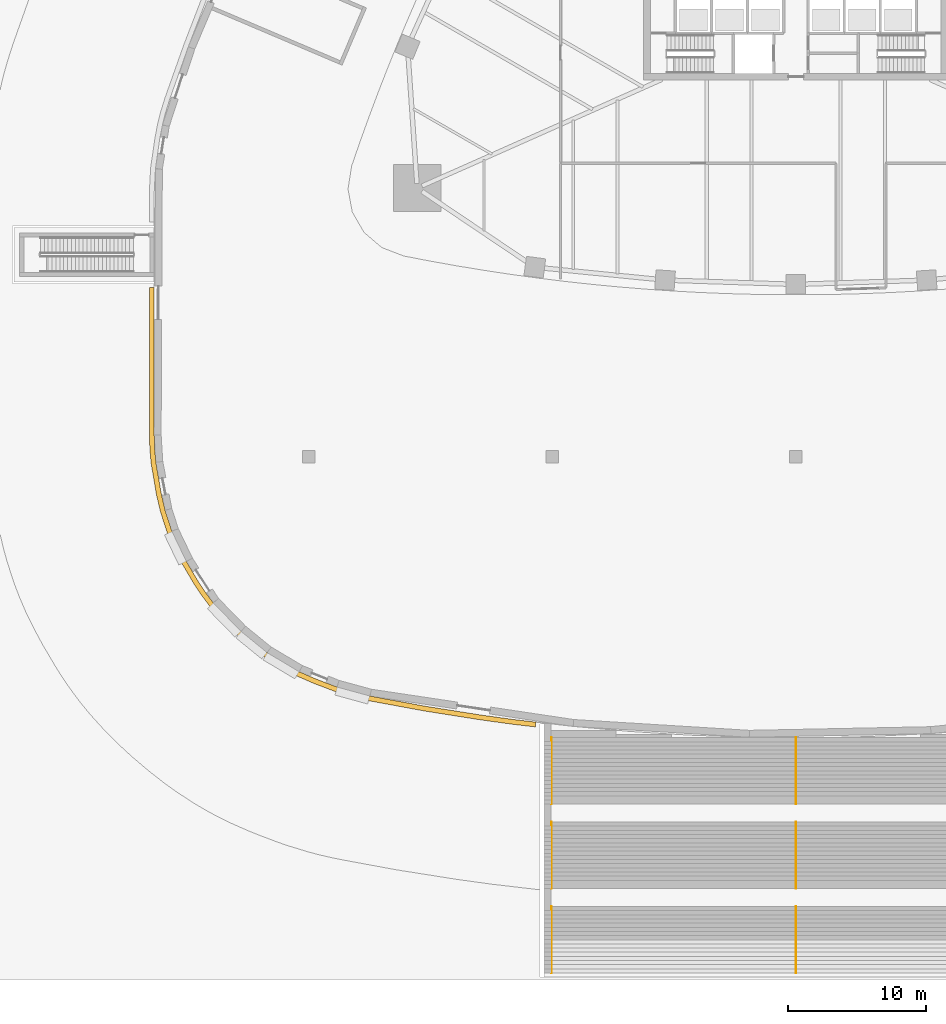
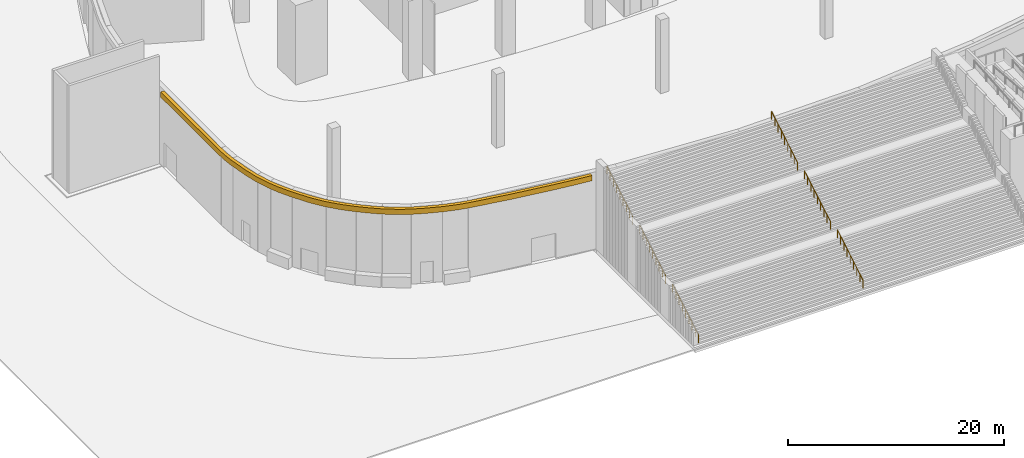
# One storey, part 17 of 29: 6 railings, 1 covering.
"""IFC4 building model written with IfcOpenShell, lengths in metres."""

import ifcopenshell
import ifcopenshell.guid

model = None  # the IFC model being written
_history = None  # IfcOwnerHistory: only IFC2X3 demands one
_inside = {}  # id of a spatial element -> (the spatial element, [elements in it])
_under = {}  # id of a project, library or spatial element -> (it, [spatial elements below it])
_declared = {}  # id of a project -> (the project, [libraries it declares])
_typed = {}  # id of a type object -> (the type object, [elements of that type])
_made_of = {}  # id of a material, layer set ... -> (it, [elements and type objects made of it])


def new_model(schema):
    """Start an empty IFC model of exactly this schema.

    Asked for "IFC4X3", IfcOpenShell would pick the latest addendum, in which some entities
    have other attributes; the version numbers below select the first issue.
    IFC2X3 requires an IfcOwnerHistory on every rooted entity: one is made here for all.
    """
    global model, _history
    if schema == "IFC4X3":
        model = ifcopenshell.file(schema_version=(4, 3, 0, 0))
    else:
        model = ifcopenshell.file(schema=schema)
    _inside.clear()
    _under.clear()
    _declared.clear()
    _typed.clear()
    _made_of.clear()
    _history = None
    if model.schema == "IFC2X3":
        org = make("IfcOrganization", Name="unknown")
        user = make(
            "IfcPersonAndOrganization",
            ThePerson=make("IfcPerson", FamilyName="unknown"),
            TheOrganization=org,
        )
        app = make(
            "IfcApplication",
            ApplicationDeveloper=org,
            Version="unknown",
            ApplicationFullName="unknown",
            ApplicationIdentifier="unknown",
        )
        _history = make(
            "IfcOwnerHistory",
            OwningUser=user,
            OwningApplication=app,
            ChangeAction="ADDED",
            CreationDate=0,
        )
    return model


def make(cls, **values):
    """One entity of the class cls with the attributes given. An attribute that is None is left unset."""
    return model.create_entity(
        cls, **{name: value for name, value in values.items() if value is not None}
    )


def rooted(cls, **values):
    """An entity with a GlobalId (a new one), such as an element, a storey or a relation."""
    return make(cls, GlobalId=ifcopenshell.guid.new(), OwnerHistory=_history, **values)


def si_unit(unit_type, name, prefix=None):
    """IfcSIUnit, for example si_unit("LENGTHUNIT", "METRE", prefix="MILLI")."""
    return make("IfcSIUnit", UnitType=unit_type, Prefix=prefix, Name=name)


def assignment(units):
    """IfcUnitAssignment: the units of a project."""
    return None if units is None else make("IfcUnitAssignment", Units=units)


def point(xyz):
    """IfcCartesianPoint."""
    return None if xyz is None else make("IfcCartesianPoint", Coordinates=xyz)


def direction(xyz):
    """IfcDirection."""
    return None if xyz is None else make("IfcDirection", DirectionRatios=xyz)


def frame(location, z_axis=None, x_axis=None):
    """IfcAxis2Placement3D, a coordinate frame: its origin and axes. An axis left out is left unset."""
    return make(
        "IfcAxis2Placement3D",
        Location=point(location),
        Axis=direction(z_axis),
        RefDirection=direction(x_axis),
    )


def frame_2d(location, x_axis=None):
    """IfcAxis2Placement2D, a coordinate frame in the plane: its origin and x axis."""
    return make(
        "IfcAxis2Placement2D", Location=point(location), RefDirection=direction(x_axis)
    )


def origin():
    """The frame at (0, 0, 0) with its axes left unset."""
    return frame((0.0, 0.0, 0.0))


def origin_2d():
    """The frame at (0, 0) in the plane with its x axis left unset."""
    return frame_2d((0.0, 0.0))


def place(relative_to, where):
    """IfcLocalPlacement: puts the frame where relative to a parent placement (None: the world)."""
    return make(
        "IfcLocalPlacement", PlacementRelTo=relative_to, RelativePlacement=where
    )


def context(
    kind, dimensions, precision=None, world=None, true_north=None, identifier=None
):
    """IfcGeometricRepresentationContext, for example the 3D "Model" context."""
    return make(
        "IfcGeometricRepresentationContext",
        ContextIdentifier=identifier,
        ContextType=kind,
        CoordinateSpaceDimension=dimensions,
        Precision=precision,
        WorldCoordinateSystem=world,
        TrueNorth=true_north,
    )


def subcontext(parent, identifier, kind, view, scale=None):
    """IfcGeometricRepresentationSubContext, for example "Body" below "Model"."""
    return make(
        "IfcGeometricRepresentationSubContext",
        ContextIdentifier=identifier,
        ContextType=kind,
        ParentContext=parent,
        TargetScale=scale,
        TargetView=view,
    )


def project(units=None, contexts=None):
    """IfcProject with its units and contexts."""
    return rooted(
        "IfcProject",
        Name="project",
        RepresentationContexts=contexts,
        UnitsInContext=assignment(units),
    )


def spatial(cls, under=None, at=None, **own):
    """A site, building, storey or space (cls), placed at a placement, below another one or the project."""
    s = rooted(cls, ObjectPlacement=at, **own)
    if under is not None:
        _under.setdefault(under.id(), (under, []))[1].append(s)
    return s


def polyline(points):
    """IfcPolyline through the points."""
    return make("IfcPolyline", Points=[point(p) for p in points])


def profile(cls, at=None, kind="AREA", **sizes):
    """A parametric profile (cls). Its sizes go by their IFC names, for example OverallWidth=200.0."""
    return make(cls, ProfileType=kind, Position=at, **sizes)


def circle(**sizes):
    """IfcCircleProfileDef."""
    return profile("IfcCircleProfileDef", **sizes)


def outline(outer, holes=None, kind="AREA"):
    """IfcArbitraryClosedProfileDef: a profile drawn as a closed curve; with holes, ...WithVoids."""
    if holes is None:
        return make("IfcArbitraryClosedProfileDef", ProfileType=kind, OuterCurve=outer)
    return make(
        "IfcArbitraryProfileDefWithVoids",
        ProfileType=kind,
        OuterCurve=outer,
        InnerCurves=holes,
    )


def extrude(swept, where, along, depth):
    """IfcExtrudedAreaSolid: the profile swept, set in the frame where, extruded along a direction by depth."""
    return make(
        "IfcExtrudedAreaSolid",
        SweptArea=swept,
        Position=where,
        ExtrudedDirection=direction(along),
        Depth=depth,
    )


def shape(context_of_items, identifier, shape_type, items):
    """IfcShapeRepresentation: the items that make up one representation, for example the "Body"."""
    return make(
        "IfcShapeRepresentation",
        ContextOfItems=context_of_items,
        RepresentationIdentifier=identifier,
        RepresentationType=shape_type,
        Items=items,
    )


def material(Name=None, Category=None):
    """IfcMaterial."""
    return make("IfcMaterial", Name=Name, Category=Category)


def layer(
    of_material, thickness, ventilated=None, Name=None, Category=None, Priority=None
):
    """IfcMaterialLayer: one layer of a wall or slab, of a material (None: an air gap)."""
    return make(
        "IfcMaterialLayer",
        Material=of_material,
        LayerThickness=thickness,
        IsVentilated=ventilated,
        Name=Name,
        Category=Category,
        Priority=Priority,
    )


def layer_set(layers, Name=None):
    """IfcMaterialLayerSet."""
    return make("IfcMaterialLayerSet", MaterialLayers=layers, LayerSetName=Name)


def made_of(thing, what):
    """Note that an element or type object is made of a material, layer set ...; save() writes the relation."""
    if what is not None:
        _made_of.setdefault(what.id(), (what, []))[1].append(thing)
    return thing


def type_object(cls, material=None, **own):
    """A type object (cls), such as IfcWallType, which elements share."""
    return made_of(rooted(cls, **own), material)


def element(
    cls,
    number,
    at=None,
    inside=None,
    cuts=None,
    type_object=None,
    material=None,
    context=None,
    identifier="Body",
    shape_type=None,
    held_by="IfcProductDefinitionShape",
    body=None,
    shapes=None,
    **own,
):
    """One element of the class cls, such as IfcWall. Its Tag is "e" and its number.

    at: its placement. inside: the storey or other place that contains it. cuts: it is an
    opening in that element (IfcRelVoidsElement). A single representation is given by context,
    identifier, shape_type and body (its items); several are given by shapes. held_by: the class
    of the entity that holds the representations. save() writes the other relations.
    """
    e = rooted(cls, Tag="e%d" % number, ObjectPlacement=at, **own)
    if body is not None:
        shapes = [shape(context, identifier, shape_type, body)]
    if shapes is not None:
        e.Representation = make(held_by, Representations=shapes)
    if inside is not None:
        _inside.setdefault(inside.id(), (inside, []))[1].append(e)
    if cuts is not None:
        rooted(
            "IfcRelVoidsElement", RelatingBuildingElement=cuts, RelatedOpeningElement=e
        )
    if type_object is not None:
        _typed.setdefault(type_object.id(), (type_object, []))[1].append(e)
    return made_of(e, material)


def aggregate(whole, parts):
    """IfcRelAggregates: a whole, such as a stair, and the parts it consists of."""
    return rooted("IfcRelAggregates", RelatingObject=whole, RelatedObjects=parts)


def save(model, path):
    """Write the relations noted so far, then the file.

    IfcRelAggregates (storeys below a building ...), IfcRelContainedInSpatialStructure (elements
    in a storey), IfcRelDefinesByType, IfcRelAssociatesMaterial and IfcRelDeclares: one each for
    every whole, place, type object, material and project.
    """
    for whole, parts in _under.values():
        aggregate(whole, parts)
    for where, things in _inside.values():
        rooted(
            "IfcRelContainedInSpatialStructure",
            RelatedElements=things,
            RelatingStructure=where,
        )
    for kind, things in _typed.values():
        rooted("IfcRelDefinesByType", RelatedObjects=things, RelatingType=kind)
    for what, things in _made_of.values():
        rooted("IfcRelAssociatesMaterial", RelatedObjects=things, RelatingMaterial=what)
    for by, libraries in _declared.values():
        rooted("IfcRelDeclares", RelatingContext=by, RelatedDefinitions=libraries)
    model.write(path)


model = new_model("IFC4")

# Units and contexts
model_context = context("Model", 3, precision=1e-05, world=origin(), true_north=direction((0.0, 1.0)))
body_context = subcontext(model_context, "Body", "Model", "MODEL_VIEW")
ifc_project = project(units=[si_unit("LENGTHUNIT", "METRE"), si_unit("AREAUNIT", "SQUARE_METRE"), si_unit("VOLUMEUNIT", "CUBIC_METRE"), si_unit("PLANEANGLEUNIT", "RADIAN"), si_unit("MASSUNIT", "GRAM", prefix="KILO")], contexts=[model_context])

# Site, building, storey
site_placement = place(None, origin())
site = spatial("IfcSite", under=ifc_project, at=site_placement, CompositionType="ELEMENT")
building_placement = place(site_placement, origin())
building = spatial("IfcBuilding", under=site, at=building_placement, Name="Sierra Prisma Convention Tower", CompositionType="ELEMENT")
storey_placement = place(building_placement, origin())
storey = spatial("IfcBuildingStorey", under=building, at=storey_placement, Name="L00", CompositionType="ELEMENT", Elevation=0.0)

# Covering
ifc_material_1 = material(Name="Dark rose-grey plaster")
ifc_layer = layer(ifc_material_1, 0.35009765625)
ifc_layer_set = layer_set([ifc_layer], Name="Plinth cornice band 600")
covering_type = type_object("IfcCoveringType", Name="Plinth cornice band 600", PredefinedType="CLADDING", material=ifc_layer_set)
covering_placement = place(storey_placement, frame((0.0, 0.0, 8.14990234375)))
element("IfcCovering", 1, at=covering_placement, inside=storey, type_object=covering_type, Name="Plinth cornice 1", PredefinedType="CLADDING", context=body_context, shape_type="SweptSolid", body=[
    extrude(outline(polyline([(-18.800048828125, -54.720458984375), (-18.800048828125, -54.490234375), (-18.798583984375, -54.4609375), (-18.794189453125, -54.431640625), (-18.787109375, -54.403076171875), (-18.777099609375, -54.37548828125), (-18.775146484375, -54.37109375), (-20.30908203125, -54.19384765625), (-22.702392578125, -53.8662109375), (-26.776123046875, -53.222900390625), (-30.767822265625, -52.4853515625), (-31.758056640625, -52.258544921875), (-33.15185546875, -51.833251953125), (-34.67578125, -51.25732421875), (-35.86865234375, -50.73681640625), (-36.873046875, -50.213134765625), (-38.199462890625, -49.348388671875), (-39.225341796875, -48.547607421875), (-40.08056640625, -47.816650390625), (-41.031494140625, -46.927978515625), (-42.09228515625, -45.75244140625), (-42.765869140625, -44.841796875), (-43.1689453125, -44.22705078125), (-44.0283203125, -42.770263671875), (-44.628662109375, -41.615478515625), (-45.080322265625, -40.576904296875), (-45.568115234375, -39.0703125), (-45.8623046875, -37.802490234375), (-46.232666015625, -35.60009765625), (-46.31689453125, -34.686279296875), (-46.3544921875, -33.632080078125), (-46.3544921875, -22.97509765625), (-46.70458984375, -22.97509765625), (-46.70458984375, -33.63818359375), (-46.666259765625, -34.70849609375), (-46.579833984375, -35.645263671875), (-46.20556640625, -37.87109375), (-45.905517578125, -39.163818359375), (-45.408203125, -40.70068359375), (-44.94482421875, -41.76611328125), (-44.334716796875, -42.93994140625), (-43.466064453125, -44.411865234375), (-43.05322265625, -45.0419921875), (-42.363525390625, -45.97412109375), (-41.28125, -47.17333984375), (-40.313720703125, -48.07763671875), (-39.447021484375, -48.818603515625), (-38.403076171875, -49.633544921875), (-37.0498046875, -50.515625), (-36.019775390625, -51.052734375), (-34.807861328125, -51.581787109375), (-33.264892578125, -52.164794921875), (-31.848388671875, -52.596923828125), (-30.8388671875, -52.828125), (-26.835205078125, -53.568115234375), (-22.75341796875, -54.21240234375), (-20.35302734375, -54.541015625), (-18.800048828125, -54.720458984375)])), origin(), (0.0, 0.0, 1.0), 0.60009765625),
])

# Railings
ifc_material_2 = material(Name="Bronze anodised aluminium", Category="aluminium")
railing_type = type_object("IfcRailingType", Name="Stair handrail 900", PredefinedType="HANDRAIL", material=ifc_material_2)
railing_1_placement = place(storey_placement, frame((0.0, -72.490234375, 0.176513671875)))
element("IfcRailing", 2, at=railing_1_placement, inside=storey, type_object=railing_type, Name="Garden stair handrail", PredefinedType="HANDRAIL", context=body_context, shape_type="SweptSolid", body=[
    extrude(circle(Radius=0.02392578125, at=origin_2d()), frame((0.0, 0.0, 0.8759765625), z_axis=(0.0, 0.861947739596, 0.506997134318), x_axis=(-1.0, 0.0, 0.0)), (0.0, 0.0, 1.0), 1.39208984375),
    extrude(circle(Radius=0.02392578125, at=origin_2d()), frame((0.0, 1.199951171875, 1.58154296875), z_axis=(0.0, 0.861992807769, 0.506920505952), x_axis=(-1.0, 0.0, 0.0)), (0.0, 0.0, 1.0), 1.392333984375),
    extrude(circle(Radius=0.02392578125, at=origin_2d()), frame((0.0, 2.400146484375, 2.28759765625), z_axis=(0.0, 0.861871098619, 0.507127409401), x_axis=(-1.0, 0.0, 0.0)), (0.0, 0.0, 1.0), 1.392333984375),
    extrude(circle(Radius=0.02392578125, at=origin_2d()), frame((0.0, 3.60009765625, 2.99365234375), z_axis=(0.0, 0.861947739596, 0.506997134318), x_axis=(-1.0, 0.0, 0.0)), (0.0, 0.0, 1.0), 1.39208984375),
    extrude(circle(Radius=0.02099609375, at=origin_2d()), origin(), (0.0, 0.0, 1.0), 0.851806640625),
    extrude(circle(Radius=0.02099609375, at=origin_2d()), frame((0.0, 0.60009765625, 0.35302734375)), (0.0, 0.0, 1.0), 0.851806640625),
    extrude(circle(Radius=0.02099609375, at=origin_2d()), frame((0.0, 1.199951171875, 0.705810546875)), (0.0, 0.0, 1.0), 0.851806640625),
    extrude(circle(Radius=0.02099609375, at=origin_2d()), frame((0.0, 1.800048828125, 1.05859375)), (0.0, 0.0, 1.0), 0.851806640625),
    extrude(circle(Radius=0.02099609375, at=origin_2d()), frame((0.0, 2.400146484375, 1.41162109375)), (0.0, 0.0, 1.0), 0.851806640625),
    extrude(circle(Radius=0.02099609375, at=origin_2d()), frame((0.0, 3.0, 1.7646484375)), (0.0, 0.0, 1.0), 0.851806640625),
    extrude(circle(Radius=0.02099609375, at=origin_2d()), frame((0.0, 3.60009765625, 2.11767578125)), (0.0, 0.0, 1.0), 0.851806640625),
    extrude(circle(Radius=0.02099609375, at=origin_2d()), frame((0.0, 4.2001953125, 2.470703125)), (0.0, 0.0, 1.0), 0.851806640625),
    extrude(circle(Radius=0.02099609375, at=origin_2d()), frame((0.0, 4.800048828125, 2.823486328125)), (0.0, 0.0, 1.0), 0.851806640625),
])
railing_2_placement = place(storey_placement, frame((0.0, -66.39013671875, 3.176513671875)))
element("IfcRailing", 3, at=railing_2_placement, inside=storey, type_object=railing_type, Name="Garden stair handrail", PredefinedType="HANDRAIL", context=body_context, shape_type="SweptSolid", body=[
    extrude(circle(Radius=0.02392578125, at=origin_2d()), frame((0.0, 0.0, 0.8759765625), z_axis=(0.0, 0.861947739596, 0.506997134318), x_axis=(-1.0, 0.0, 0.0)), (0.0, 0.0, 1.0), 2.7841796875),
    extrude(circle(Radius=0.02392578125, at=origin_2d()), frame((0.0, 2.39990234375, 2.28759765625), z_axis=(0.0, 0.861871098619, 0.507127409401), x_axis=(-1.0, 0.0, 0.0)), (0.0, 0.0, 1.0), 1.392333984375),
    extrude(circle(Radius=0.02392578125, at=origin_2d()), frame((0.0, 3.599853515625, 2.99365234375), z_axis=(0.0, 0.861992807769, 0.506920505952), x_axis=(-1.0, 0.0, 0.0)), (0.0, 0.0, 1.0), 1.392333984375),
    extrude(circle(Radius=0.02099609375, at=origin_2d()), origin(), (0.0, 0.0, 1.0), 0.851806640625),
    extrude(circle(Radius=0.02099609375, at=origin_2d()), frame((0.0, 0.60009765625, 0.35302734375)), (0.0, 0.0, 1.0), 0.851806640625),
    extrude(circle(Radius=0.02099609375, at=origin_2d()), frame((0.0, 1.199951171875, 0.705810546875)), (0.0, 0.0, 1.0), 0.851806640625),
    extrude(circle(Radius=0.02099609375, at=origin_2d()), frame((0.0, 1.7998046875, 1.05859375)), (0.0, 0.0, 1.0), 0.851806640625),
    extrude(circle(Radius=0.02099609375, at=origin_2d()), frame((0.0, 2.39990234375, 1.41162109375)), (0.0, 0.0, 1.0), 0.851806640625),
    extrude(circle(Radius=0.02099609375, at=origin_2d()), frame((0.0, 3.0, 1.7646484375)), (0.0, 0.0, 1.0), 0.851806640625),
    extrude(circle(Radius=0.02099609375, at=origin_2d()), frame((0.0, 3.599853515625, 2.11767578125)), (0.0, 0.0, 1.0), 0.851806640625),
    extrude(circle(Radius=0.02099609375, at=origin_2d()), frame((0.0, 4.199951171875, 2.470703125)), (0.0, 0.0, 1.0), 0.851806640625),
    extrude(circle(Radius=0.02099609375, at=origin_2d()), frame((0.0, 4.800048828125, 2.823486328125)), (0.0, 0.0, 1.0), 0.851806640625),
])
railing_3_placement = place(storey_placement, frame((0.0, -60.290283203125, 6.176513671875)))
element("IfcRailing", 4, at=railing_3_placement, inside=storey, type_object=railing_type, Name="Garden stair handrail", PredefinedType="HANDRAIL", context=body_context, shape_type="SweptSolid", body=[
    extrude(circle(Radius=0.02392578125, at=origin_2d()), frame((0.0, 0.0, 0.8759765625), z_axis=(0.0, 0.861992807769, 0.506920505952), x_axis=(-1.0, 0.0, 0.0)), (0.0, 0.0, 1.0), 1.392333984375),
    extrude(circle(Radius=0.02392578125, at=origin_2d()), frame((0.0, 1.2001953125, 1.58154296875), z_axis=(0.0, 0.861947739596, 0.506997134318), x_axis=(-1.0, 0.0, 0.0)), (0.0, 0.0, 1.0), 1.39208984375),
    extrude(circle(Radius=0.02392578125, at=origin_2d()), frame((0.0, 2.400146484375, 2.28759765625), z_axis=(0.0, 0.861871098619, 0.507127409401), x_axis=(-1.0, 0.0, 0.0)), (0.0, 0.0, 1.0), 1.392333984375),
    extrude(circle(Radius=0.02392578125, at=origin_2d()), frame((0.0, 3.60009765625, 2.99365234375), z_axis=(0.0, 0.861947739596, 0.506997134318), x_axis=(-1.0, 0.0, 0.0)), (0.0, 0.0, 1.0), 1.39208984375),
    extrude(circle(Radius=0.02099609375, at=origin_2d()), origin(), (0.0, 0.0, 1.0), 0.851806640625),
    extrude(circle(Radius=0.02099609375, at=origin_2d()), frame((0.0, 0.60009765625, 0.35302734375)), (0.0, 0.0, 1.0), 0.851806640625),
    extrude(circle(Radius=0.02099609375, at=origin_2d()), frame((0.0, 1.2001953125, 0.705810546875)), (0.0, 0.0, 1.0), 0.851806640625),
    extrude(circle(Radius=0.02099609375, at=origin_2d()), frame((0.0, 1.80029296875, 1.05859375)), (0.0, 0.0, 1.0), 0.851806640625),
    extrude(circle(Radius=0.02099609375, at=origin_2d()), frame((0.0, 2.400146484375, 1.41162109375)), (0.0, 0.0, 1.0), 0.851806640625),
    extrude(circle(Radius=0.02099609375, at=origin_2d()), frame((0.0, 3.0, 1.7646484375)), (0.0, 0.0, 1.0), 0.851806640625),
    extrude(circle(Radius=0.02099609375, at=origin_2d()), frame((0.0, 3.60009765625, 2.11767578125)), (0.0, 0.0, 1.0), 0.851806640625),
    extrude(circle(Radius=0.02099609375, at=origin_2d()), frame((0.0, 4.2001953125, 2.470703125)), (0.0, 0.0, 1.0), 0.851806640625),
    extrude(circle(Radius=0.02099609375, at=origin_2d()), frame((0.0, 4.800048828125, 2.823486328125)), (0.0, 0.0, 1.0), 0.851806640625),
])
railing_4_placement = place(storey_placement, frame((-17.64990234375, -72.490234375, 0.176513671875)))
element("IfcRailing", 5, at=railing_4_placement, inside=storey, type_object=railing_type, Name="Garden stair handrail", PredefinedType="HANDRAIL", context=body_context, shape_type="SweptSolid", body=[
    extrude(circle(Radius=0.02392578125, at=origin_2d()), frame((0.0, 0.0, 0.8759765625), z_axis=(0.0, 0.861947739596, 0.506997134318), x_axis=(-1.0, 0.0, 0.0)), (0.0, 0.0, 1.0), 1.39208984375),
    extrude(circle(Radius=0.02392578125, at=origin_2d()), frame((0.0, 1.199951171875, 1.58154296875), z_axis=(0.0, 0.861992807769, 0.506920505952), x_axis=(-1.0, 0.0, 0.0)), (0.0, 0.0, 1.0), 1.392333984375),
    extrude(circle(Radius=0.02392578125, at=origin_2d()), frame((0.0, 2.400146484375, 2.28759765625), z_axis=(0.0, 0.861871098619, 0.507127409401), x_axis=(-1.0, 0.0, 0.0)), (0.0, 0.0, 1.0), 1.392333984375),
    extrude(circle(Radius=0.02392578125, at=origin_2d()), frame((0.0, 3.60009765625, 2.99365234375), z_axis=(0.0, 0.861947739596, 0.506997134318), x_axis=(-1.0, 0.0, 0.0)), (0.0, 0.0, 1.0), 1.39208984375),
    extrude(circle(Radius=0.02099609375, at=origin_2d()), origin(), (0.0, 0.0, 1.0), 0.851806640625),
    extrude(circle(Radius=0.02099609375, at=origin_2d()), frame((0.0, 0.60009765625, 0.35302734375)), (0.0, 0.0, 1.0), 0.851806640625),
    extrude(circle(Radius=0.02099609375, at=origin_2d()), frame((0.0, 1.199951171875, 0.705810546875)), (0.0, 0.0, 1.0), 0.851806640625),
    extrude(circle(Radius=0.02099609375, at=origin_2d()), frame((0.0, 1.800048828125, 1.05859375)), (0.0, 0.0, 1.0), 0.851806640625),
    extrude(circle(Radius=0.02099609375, at=origin_2d()), frame((0.0, 2.400146484375, 1.41162109375)), (0.0, 0.0, 1.0), 0.851806640625),
    extrude(circle(Radius=0.02099609375, at=origin_2d()), frame((0.0, 3.0, 1.7646484375)), (0.0, 0.0, 1.0), 0.851806640625),
    extrude(circle(Radius=0.02099609375, at=origin_2d()), frame((0.0, 3.60009765625, 2.11767578125)), (0.0, 0.0, 1.0), 0.851806640625),
    extrude(circle(Radius=0.02099609375, at=origin_2d()), frame((0.0, 4.2001953125, 2.470703125)), (0.0, 0.0, 1.0), 0.851806640625),
    extrude(circle(Radius=0.02099609375, at=origin_2d()), frame((0.0, 4.800048828125, 2.823486328125)), (0.0, 0.0, 1.0), 0.851806640625),
])
railing_5_placement = place(storey_placement, frame((-17.64990234375, -66.39013671875, 3.176513671875)))
element("IfcRailing", 6, at=railing_5_placement, inside=storey, type_object=railing_type, Name="Garden stair handrail", PredefinedType="HANDRAIL", context=body_context, shape_type="SweptSolid", body=[
    extrude(circle(Radius=0.02392578125, at=origin_2d()), frame((0.0, 0.0, 0.8759765625), z_axis=(0.0, 0.861947739596, 0.506997134318), x_axis=(-1.0, 0.0, 0.0)), (0.0, 0.0, 1.0), 2.7841796875),
    extrude(circle(Radius=0.02392578125, at=origin_2d()), frame((0.0, 2.39990234375, 2.28759765625), z_axis=(0.0, 0.861871098619, 0.507127409401), x_axis=(-1.0, 0.0, 0.0)), (0.0, 0.0, 1.0), 1.392333984375),
    extrude(circle(Radius=0.02392578125, at=origin_2d()), frame((0.0, 3.599853515625, 2.99365234375), z_axis=(0.0, 0.861992807769, 0.506920505952), x_axis=(-1.0, 0.0, 0.0)), (0.0, 0.0, 1.0), 1.392333984375),
    extrude(circle(Radius=0.02099609375, at=origin_2d()), origin(), (0.0, 0.0, 1.0), 0.851806640625),
    extrude(circle(Radius=0.02099609375, at=origin_2d()), frame((0.0, 0.60009765625, 0.35302734375)), (0.0, 0.0, 1.0), 0.851806640625),
    extrude(circle(Radius=0.02099609375, at=origin_2d()), frame((0.0, 1.199951171875, 0.705810546875)), (0.0, 0.0, 1.0), 0.851806640625),
    extrude(circle(Radius=0.02099609375, at=origin_2d()), frame((0.0, 1.7998046875, 1.05859375)), (0.0, 0.0, 1.0), 0.851806640625),
    extrude(circle(Radius=0.02099609375, at=origin_2d()), frame((0.0, 2.39990234375, 1.41162109375)), (0.0, 0.0, 1.0), 0.851806640625),
    extrude(circle(Radius=0.02099609375, at=origin_2d()), frame((0.0, 3.0, 1.7646484375)), (0.0, 0.0, 1.0), 0.851806640625),
    extrude(circle(Radius=0.02099609375, at=origin_2d()), frame((0.0, 3.599853515625, 2.11767578125)), (0.0, 0.0, 1.0), 0.851806640625),
    extrude(circle(Radius=0.02099609375, at=origin_2d()), frame((0.0, 4.199951171875, 2.470703125)), (0.0, 0.0, 1.0), 0.851806640625),
    extrude(circle(Radius=0.02099609375, at=origin_2d()), frame((0.0, 4.800048828125, 2.823486328125)), (0.0, 0.0, 1.0), 0.851806640625),
])
railing_6_placement = place(storey_placement, frame((-17.64990234375, -60.290283203125, 6.176513671875)))
element("IfcRailing", 7, at=railing_6_placement, inside=storey, type_object=railing_type, Name="Garden stair handrail", PredefinedType="HANDRAIL", context=body_context, shape_type="SweptSolid", body=[
    extrude(circle(Radius=0.02392578125, at=origin_2d()), frame((0.0, 0.0, 0.8759765625), z_axis=(0.0, 0.861992807769, 0.506920505952), x_axis=(-1.0, 0.0, 0.0)), (0.0, 0.0, 1.0), 1.392333984375),
    extrude(circle(Radius=0.02392578125, at=origin_2d()), frame((0.0, 1.2001953125, 1.58154296875), z_axis=(0.0, 0.861947739596, 0.506997134318), x_axis=(-1.0, 0.0, 0.0)), (0.0, 0.0, 1.0), 1.39208984375),
    extrude(circle(Radius=0.02392578125, at=origin_2d()), frame((0.0, 2.400146484375, 2.28759765625), z_axis=(0.0, 0.861871098619, 0.507127409401), x_axis=(-1.0, 0.0, 0.0)), (0.0, 0.0, 1.0), 1.392333984375),
    extrude(circle(Radius=0.02392578125, at=origin_2d()), frame((0.0, 3.60009765625, 2.99365234375), z_axis=(0.0, 0.861947739596, 0.506997134318), x_axis=(-1.0, 0.0, 0.0)), (0.0, 0.0, 1.0), 1.39208984375),
    extrude(circle(Radius=0.02099609375, at=origin_2d()), origin(), (0.0, 0.0, 1.0), 0.851806640625),
    extrude(circle(Radius=0.02099609375, at=origin_2d()), frame((0.0, 0.60009765625, 0.35302734375)), (0.0, 0.0, 1.0), 0.851806640625),
    extrude(circle(Radius=0.02099609375, at=origin_2d()), frame((0.0, 1.2001953125, 0.705810546875)), (0.0, 0.0, 1.0), 0.851806640625),
    extrude(circle(Radius=0.02099609375, at=origin_2d()), frame((0.0, 1.80029296875, 1.05859375)), (0.0, 0.0, 1.0), 0.851806640625),
    extrude(circle(Radius=0.02099609375, at=origin_2d()), frame((0.0, 2.400146484375, 1.41162109375)), (0.0, 0.0, 1.0), 0.851806640625),
    extrude(circle(Radius=0.02099609375, at=origin_2d()), frame((0.0, 3.0, 1.7646484375)), (0.0, 0.0, 1.0), 0.851806640625),
    extrude(circle(Radius=0.02099609375, at=origin_2d()), frame((0.0, 3.60009765625, 2.11767578125)), (0.0, 0.0, 1.0), 0.851806640625),
    extrude(circle(Radius=0.02099609375, at=origin_2d()), frame((0.0, 4.2001953125, 2.470703125)), (0.0, 0.0, 1.0), 0.851806640625),
    extrude(circle(Radius=0.02099609375, at=origin_2d()), frame((0.0, 4.800048828125, 2.823486328125)), (0.0, 0.0, 1.0), 0.851806640625),
])

save(model, "model.ifc")
